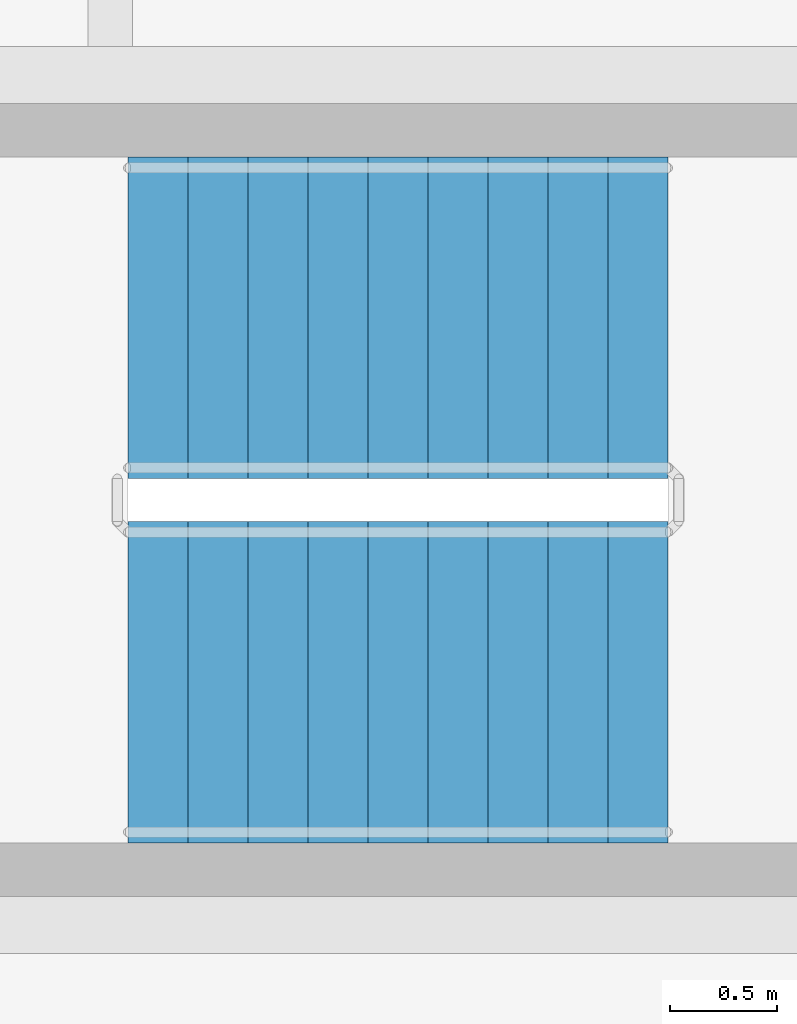
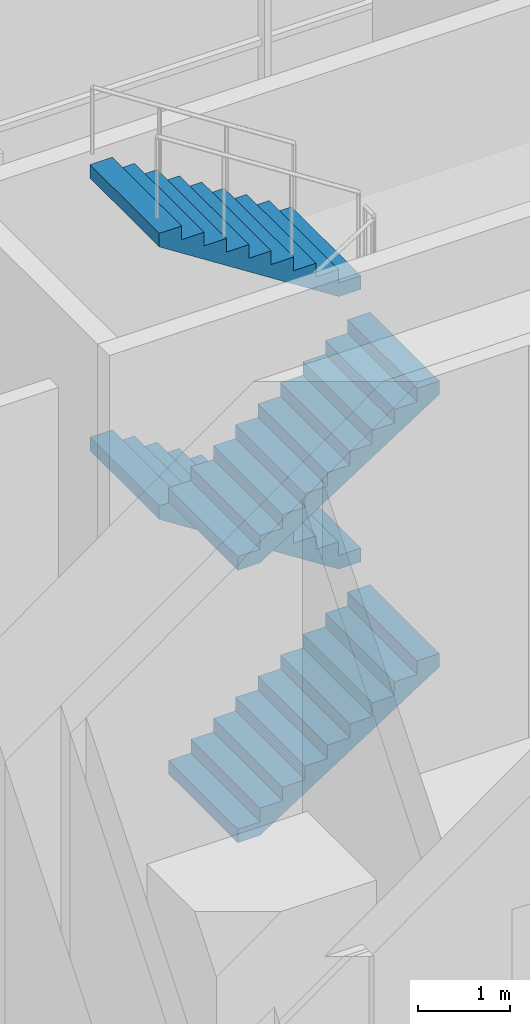
# One storey, part 27 of 36: 4 stair flights, 1 element without a shape of its own.
"""IFC4 building model written with IfcOpenShell, lengths in metres."""

import ifcopenshell
import ifcopenshell.guid

model = None  # the IFC model being written
_history = None  # IfcOwnerHistory: only IFC2X3 demands one
_inside = {}  # id of a spatial element -> (the spatial element, [elements in it])
_under = {}  # id of a project, library or spatial element -> (it, [spatial elements below it])
_declared = {}  # id of a project -> (the project, [libraries it declares])
_typed = {}  # id of a type object -> (the type object, [elements of that type])
_made_of = {}  # id of a material, layer set ... -> (it, [elements and type objects made of it])


def new_model(schema):
    """Start an empty IFC model of exactly this schema.

    Asked for "IFC4X3", IfcOpenShell would pick the latest addendum, in which some entities
    have other attributes; the version numbers below select the first issue.
    IFC2X3 requires an IfcOwnerHistory on every rooted entity: one is made here for all.
    """
    global model, _history
    if schema == "IFC4X3":
        model = ifcopenshell.file(schema_version=(4, 3, 0, 0))
    else:
        model = ifcopenshell.file(schema=schema)
    _inside.clear()
    _under.clear()
    _declared.clear()
    _typed.clear()
    _made_of.clear()
    _history = None
    if model.schema == "IFC2X3":
        org = make("IfcOrganization", Name="unknown")
        user = make(
            "IfcPersonAndOrganization",
            ThePerson=make("IfcPerson", FamilyName="unknown"),
            TheOrganization=org,
        )
        app = make(
            "IfcApplication",
            ApplicationDeveloper=org,
            Version="unknown",
            ApplicationFullName="unknown",
            ApplicationIdentifier="unknown",
        )
        _history = make(
            "IfcOwnerHistory",
            OwningUser=user,
            OwningApplication=app,
            ChangeAction="ADDED",
            CreationDate=0,
        )
    return model


def make(cls, **values):
    """One entity of the class cls with the attributes given. An attribute that is None is left unset."""
    return model.create_entity(
        cls, **{name: value for name, value in values.items() if value is not None}
    )


def rooted(cls, **values):
    """An entity with a GlobalId (a new one), such as an element, a storey or a relation."""
    return make(cls, GlobalId=ifcopenshell.guid.new(), OwnerHistory=_history, **values)


def si_unit(unit_type, name, prefix=None):
    """IfcSIUnit, for example si_unit("LENGTHUNIT", "METRE", prefix="MILLI")."""
    return make("IfcSIUnit", UnitType=unit_type, Prefix=prefix, Name=name)


def assignment(units):
    """IfcUnitAssignment: the units of a project."""
    return None if units is None else make("IfcUnitAssignment", Units=units)


def point(xyz):
    """IfcCartesianPoint."""
    return None if xyz is None else make("IfcCartesianPoint", Coordinates=xyz)


def direction(xyz):
    """IfcDirection."""
    return None if xyz is None else make("IfcDirection", DirectionRatios=xyz)


def frame(location, z_axis=None, x_axis=None):
    """IfcAxis2Placement3D, a coordinate frame: its origin and axes. An axis left out is left unset."""
    return make(
        "IfcAxis2Placement3D",
        Location=point(location),
        Axis=direction(z_axis),
        RefDirection=direction(x_axis),
    )


def origin():
    """The frame at (0, 0, 0) with its axes left unset."""
    return frame((0.0, 0.0, 0.0))


def place(relative_to, where):
    """IfcLocalPlacement: puts the frame where relative to a parent placement (None: the world)."""
    return make(
        "IfcLocalPlacement", PlacementRelTo=relative_to, RelativePlacement=where
    )


def context(
    kind, dimensions, precision=None, world=None, true_north=None, identifier=None
):
    """IfcGeometricRepresentationContext, for example the 3D "Model" context."""
    return make(
        "IfcGeometricRepresentationContext",
        ContextIdentifier=identifier,
        ContextType=kind,
        CoordinateSpaceDimension=dimensions,
        Precision=precision,
        WorldCoordinateSystem=world,
        TrueNorth=true_north,
    )


def subcontext(parent, identifier, kind, view, scale=None):
    """IfcGeometricRepresentationSubContext, for example "Body" below "Model"."""
    return make(
        "IfcGeometricRepresentationSubContext",
        ContextIdentifier=identifier,
        ContextType=kind,
        ParentContext=parent,
        TargetScale=scale,
        TargetView=view,
    )


def project(units=None, contexts=None):
    """IfcProject with its units and contexts."""
    return rooted(
        "IfcProject",
        Name="project",
        RepresentationContexts=contexts,
        UnitsInContext=assignment(units),
    )


def spatial(cls, under=None, at=None, **own):
    """A site, building, storey or space (cls), placed at a placement, below another one or the project."""
    s = rooted(cls, ObjectPlacement=at, **own)
    if under is not None:
        _under.setdefault(under.id(), (under, []))[1].append(s)
    return s


def polyline(points):
    """IfcPolyline through the points."""
    return make("IfcPolyline", Points=[point(p) for p in points])


def outline(outer, holes=None, kind="AREA"):
    """IfcArbitraryClosedProfileDef: a profile drawn as a closed curve; with holes, ...WithVoids."""
    if holes is None:
        return make("IfcArbitraryClosedProfileDef", ProfileType=kind, OuterCurve=outer)
    return make(
        "IfcArbitraryProfileDefWithVoids",
        ProfileType=kind,
        OuterCurve=outer,
        InnerCurves=holes,
    )


def extrude(swept, where, along, depth):
    """IfcExtrudedAreaSolid: the profile swept, set in the frame where, extruded along a direction by depth."""
    return make(
        "IfcExtrudedAreaSolid",
        SweptArea=swept,
        Position=where,
        ExtrudedDirection=direction(along),
        Depth=depth,
    )


def shape(context_of_items, identifier, shape_type, items):
    """IfcShapeRepresentation: the items that make up one representation, for example the "Body"."""
    return make(
        "IfcShapeRepresentation",
        ContextOfItems=context_of_items,
        RepresentationIdentifier=identifier,
        RepresentationType=shape_type,
        Items=items,
    )


def material(Name=None, Category=None):
    """IfcMaterial."""
    return make("IfcMaterial", Name=Name, Category=Category)


def made_of(thing, what):
    """Note that an element or type object is made of a material, layer set ...; save() writes the relation."""
    if what is not None:
        _made_of.setdefault(what.id(), (what, []))[1].append(thing)
    return thing


def type_object(cls, material=None, **own):
    """A type object (cls), such as IfcWallType, which elements share."""
    return made_of(rooted(cls, **own), material)


def element(
    cls,
    number,
    at=None,
    inside=None,
    cuts=None,
    type_object=None,
    material=None,
    context=None,
    identifier="Body",
    shape_type=None,
    held_by="IfcProductDefinitionShape",
    body=None,
    shapes=None,
    **own,
):
    """One element of the class cls, such as IfcWall. Its Tag is "e" and its number.

    at: its placement. inside: the storey or other place that contains it. cuts: it is an
    opening in that element (IfcRelVoidsElement). A single representation is given by context,
    identifier, shape_type and body (its items); several are given by shapes. held_by: the class
    of the entity that holds the representations. save() writes the other relations.
    """
    e = rooted(cls, Tag="e%d" % number, ObjectPlacement=at, **own)
    if body is not None:
        shapes = [shape(context, identifier, shape_type, body)]
    if shapes is not None:
        e.Representation = make(held_by, Representations=shapes)
    if inside is not None:
        _inside.setdefault(inside.id(), (inside, []))[1].append(e)
    if cuts is not None:
        rooted(
            "IfcRelVoidsElement", RelatingBuildingElement=cuts, RelatedOpeningElement=e
        )
    if type_object is not None:
        _typed.setdefault(type_object.id(), (type_object, []))[1].append(e)
    return made_of(e, material)


def aggregate(whole, parts):
    """IfcRelAggregates: a whole, such as a stair, and the parts it consists of."""
    return rooted("IfcRelAggregates", RelatingObject=whole, RelatedObjects=parts)


def save(model, path):
    """Write the relations noted so far, then the file.

    IfcRelAggregates (storeys below a building ...), IfcRelContainedInSpatialStructure (elements
    in a storey), IfcRelDefinesByType, IfcRelAssociatesMaterial and IfcRelDeclares: one each for
    every whole, place, type object, material and project.
    """
    for whole, parts in _under.values():
        aggregate(whole, parts)
    for where, things in _inside.values():
        rooted(
            "IfcRelContainedInSpatialStructure",
            RelatedElements=things,
            RelatingStructure=where,
        )
    for kind, things in _typed.values():
        rooted("IfcRelDefinesByType", RelatedObjects=things, RelatingType=kind)
    for what, things in _made_of.values():
        rooted("IfcRelAssociatesMaterial", RelatedObjects=things, RelatingMaterial=what)
    for by, libraries in _declared.values():
        rooted("IfcRelDeclares", RelatingContext=by, RelatedDefinitions=libraries)
    model.write(path)


model = new_model("IFC4")

# Units and contexts
model_context = context("Model", 3, precision=1e-05, world=origin(), true_north=direction((0.0, 1.0)))
body_context = subcontext(model_context, "Body", "Model", "MODEL_VIEW")
ifc_project = project(units=[si_unit("LENGTHUNIT", "METRE"), si_unit("AREAUNIT", "SQUARE_METRE"), si_unit("VOLUMEUNIT", "CUBIC_METRE"), si_unit("PLANEANGLEUNIT", "RADIAN"), si_unit("MASSUNIT", "GRAM", prefix="KILO")], contexts=[model_context])

# Site, building, storey
site_placement = place(None, origin())
site = spatial("IfcSite", under=ifc_project, at=site_placement, CompositionType="ELEMENT")
building_placement = place(site_placement, origin())
building = spatial("IfcBuilding", under=site, at=building_placement, Name="Tessera Gate Towers", CompositionType="ELEMENT")
storey_placement = place(building_placement, origin())
storey = spatial("IfcBuildingStorey", under=building, at=storey_placement, Name="L00", CompositionType="ELEMENT", Elevation=0.0)

# Stair, stair flights
ifc_material_1 = material(Name="Concrete C40/50", Category="concrete")
stair_type = type_object("IfcStairType", Name="EXIT STAIR ST7D 1500", PredefinedType="HALF_TURN_STAIR", material=ifc_material_1)
stair_placement = place(storey_placement, origin())
stair = element("IfcStair", 1, at=stair_placement, inside=storey, type_object=stair_type, Name="L00 North Exit Stair ST7", PredefinedType="HALF_TURN_STAIR")
ifc_material_2 = material(Name="Concrete C40/50", Category="concrete")
stair_flight_type = type_object("IfcStairFlightType", Name="EXIT STAIR FLIGHT ST7D 1500", PredefinedType="STRAIGHT", material=ifc_material_2)
stair_flight_1_placement = place(storey_placement, frame((101.75, 51.0, 0.0), z_axis=(0.0, 0.0, 1.0), x_axis=(1.0, 0.0, 0.0)))
stair_flight_1 = element("IfcStairFlight", 2, at=stair_flight_1_placement, type_object=stair_flight_type, Name="ST7 flight 1", NumberOfRisers=10, NumberOfTreads=9, PredefinedType="STRAIGHT", RiserHeight=0.18, TreadLength=0.28, context=body_context, shape_type="SweptSolid", body=[
    extrude(outline(polyline([(0.0, 0.0), (0.0, 0.179931640625), (0.280029296875, 0.179931640625), (0.280029296875, 0.360107421875), (0.56005859375, 0.360107421875), (0.56005859375, 0.5400390625), (0.840087890625, 0.5400390625), (0.840087890625, 0.719970703125), (1.1201171875, 0.719970703125), (1.1201171875, 0.89990234375), (1.39990234375, 0.89990234375), (1.39990234375, 1.080078125), (1.679931640625, 1.080078125), (1.679931640625, 1.260009765625), (1.9599609375, 1.260009765625), (1.9599609375, 1.43994140625), (2.239990234375, 1.43994140625), (2.239990234375, 1.6201171875), (2.52001953125, 1.6201171875), (2.52001953125, 1.800048828125), (2.52001953125, 1.44189453125), (0.277099609375, 0.0), (0.0, 0.0)])), frame((0.0, 0.75, 0.0), z_axis=(0.0, -1.0, 0.0), x_axis=(1.0, 0.0, 0.0)), (0.0, 0.0, 1.0), 1.5),
])
stair_flight_2_placement = place(storey_placement, frame((104.27001953125, 52.699951171875, 1.800048828125), z_axis=(0.0, 0.0, 1.0), x_axis=(-1.0, 0.0, 0.0)))
stair_flight_2 = element("IfcStairFlight", 3, at=stair_flight_2_placement, type_object=stair_flight_type, Name="ST7 flight 2", NumberOfRisers=10, NumberOfTreads=9, PredefinedType="STRAIGHT", RiserHeight=0.18, TreadLength=0.28, context=body_context, shape_type="SweptSolid", body=[
    extrude(outline(polyline([(0.0, 0.0), (0.0, 0.179931640625), (0.280029296875, 0.179931640625), (0.280029296875, 0.360107421875), (0.56005859375, 0.360107421875), (0.56005859375, 0.5400390625), (0.840087890625, 0.5400390625), (0.840087890625, 0.719970703125), (1.1201171875, 0.719970703125), (1.1201171875, 0.89990234375), (1.39990234375, 0.89990234375), (1.39990234375, 1.080078125), (1.679931640625, 1.080078125), (1.679931640625, 1.260009765625), (1.9599609375, 1.260009765625), (1.9599609375, 1.43994140625), (2.239990234375, 1.43994140625), (2.239990234375, 1.6201171875), (2.52001953125, 1.6201171875), (2.52001953125, 1.800048828125), (2.52001953125, 1.44189453125), (0.277099609375, 0.0), (0.0, 0.0)])), frame((0.0, 0.75, 0.0), z_axis=(0.0, -1.0, 0.0), x_axis=(1.0, 0.0, 0.0)), (0.0, 0.0, 1.0), 1.5),
])
stair_flight_3_placement = place(storey_placement, frame((101.75, 51.0, 3.60009765625), z_axis=(0.0, 0.0, 1.0), x_axis=(1.0, 0.0, 0.0)))
stair_flight_3 = element("IfcStairFlight", 4, at=stair_flight_3_placement, type_object=stair_flight_type, Name="ST7 flight 3", NumberOfRisers=10, NumberOfTreads=9, PredefinedType="STRAIGHT", RiserHeight=0.18, TreadLength=0.28, context=body_context, shape_type="SweptSolid", body=[
    extrude(outline(polyline([(0.0, 0.0), (0.0, 0.179931640625), (0.280029296875, 0.179931640625), (0.280029296875, 0.360107421875), (0.56005859375, 0.360107421875), (0.56005859375, 0.5400390625), (0.840087890625, 0.5400390625), (0.840087890625, 0.719970703125), (1.1201171875, 0.719970703125), (1.1201171875, 0.89990234375), (1.39990234375, 0.89990234375), (1.39990234375, 1.080078125), (1.679931640625, 1.080078125), (1.679931640625, 1.260009765625), (1.9599609375, 1.260009765625), (1.9599609375, 1.43994140625), (2.239990234375, 1.43994140625), (2.239990234375, 1.6201171875), (2.52001953125, 1.6201171875), (2.52001953125, 1.800048828125), (2.52001953125, 1.44189453125), (0.277099609375, 0.0), (0.0, 0.0)])), frame((0.0, 0.75, 0.0), z_axis=(0.0, -1.0, 0.0), x_axis=(1.0, 0.0, 0.0)), (0.0, 0.0, 1.0), 1.5),
])
stair_flight_4_placement = place(storey_placement, frame((104.27001953125, 52.699951171875, 5.39990234375), z_axis=(0.0, 0.0, 1.0), x_axis=(-1.0, 0.0, 0.0)))
stair_flight_4 = element("IfcStairFlight", 5, at=stair_flight_4_placement, type_object=stair_flight_type, Name="ST7 flight 4", NumberOfRisers=10, NumberOfTreads=9, PredefinedType="STRAIGHT", RiserHeight=0.18, TreadLength=0.28, context=body_context, shape_type="SweptSolid", body=[
    extrude(outline(polyline([(0.0, 0.0), (0.0, 0.179931640625), (0.280029296875, 0.179931640625), (0.280029296875, 0.360107421875), (0.56005859375, 0.360107421875), (0.56005859375, 0.5400390625), (0.840087890625, 0.5400390625), (0.840087890625, 0.719970703125), (1.1201171875, 0.719970703125), (1.1201171875, 0.89990234375), (1.39990234375, 0.89990234375), (1.39990234375, 1.080078125), (1.679931640625, 1.080078125), (1.679931640625, 1.260009765625), (1.9599609375, 1.260009765625), (1.9599609375, 1.43994140625), (2.239990234375, 1.43994140625), (2.239990234375, 1.6201171875), (2.52001953125, 1.6201171875), (2.52001953125, 1.800048828125), (2.52001953125, 1.44189453125), (0.277099609375, 0.0), (0.0, 0.0)])), frame((0.0, 0.75, 0.0), z_axis=(0.0, -1.0, 0.0), x_axis=(1.0, 0.0, 0.0)), (0.0, 0.0, 1.0), 1.5),
])
aggregate(stair, [stair_flight_1, stair_flight_2, stair_flight_3, stair_flight_4])

save(model, "model.ifc")
